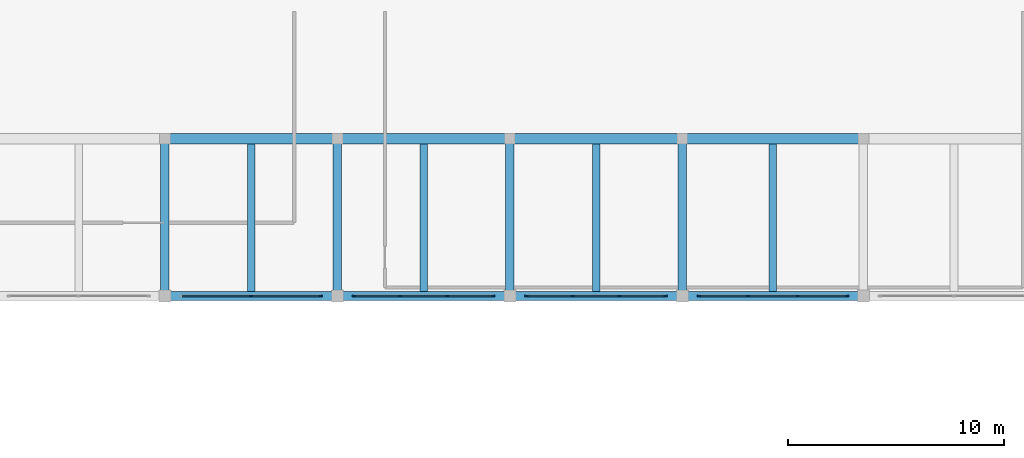
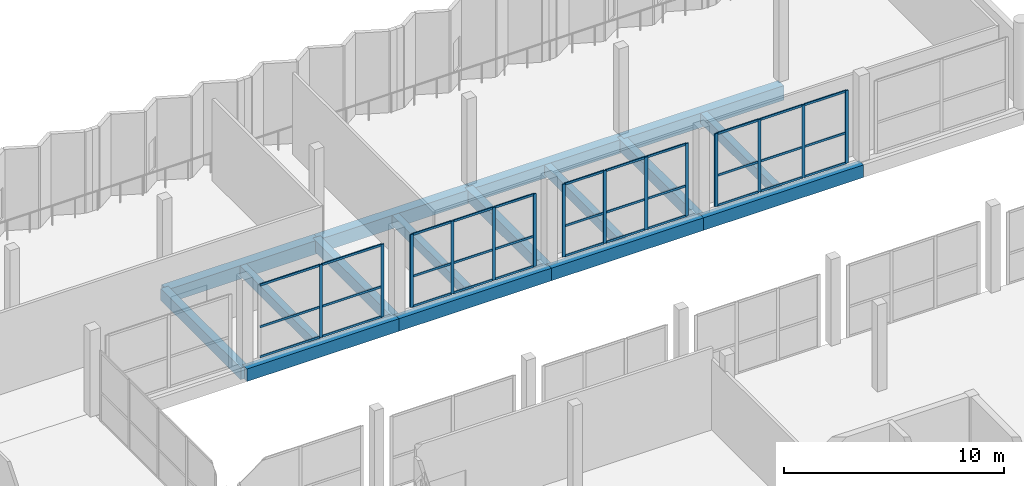
# One storey, part 18 of 47: 47 members, 16 beams, 4 elements without a shape of their own.
"""IFC4 building model written with IfcOpenShell, lengths in metres."""

from ifc_helpers import new_model, si_unit, direction, frame, origin, origin_2d, place, context, subcontext, project, spatial, rectangle, extrude, material, material_profile, profile_set, type_object, element, aggregate, save


model = new_model("IFC4")

# Units and contexts
model_context = context("Model", 3, precision=1e-05, world=origin(), true_north=direction((0.0, 1.0)))
body_context = subcontext(model_context, "Body", "Model", "MODEL_VIEW")
ifc_project = project(units=[si_unit("LENGTHUNIT", "METRE"), si_unit("AREAUNIT", "SQUARE_METRE"), si_unit("VOLUMEUNIT", "CUBIC_METRE"), si_unit("PLANEANGLEUNIT", "RADIAN"), si_unit("MASSUNIT", "GRAM", prefix="KILO")], contexts=[model_context])

# Site, building, storey
site_placement = place(None, origin())
site = spatial("IfcSite", under=ifc_project, at=site_placement, CompositionType="ELEMENT")
building_placement = place(site_placement, origin())
building = spatial("IfcBuilding", under=site, at=building_placement, Name="Vharandega Faculty of Natural Sciences", CompositionType="ELEMENT")
storey_placement = place(building_placement, frame((0.0, 0.0, 5.39990234375)))
storey = spatial("IfcBuildingStorey", under=building, at=storey_placement, Name="L01", CompositionType="ELEMENT", Elevation=5.39990234375)

# Curtain wall, members
ifc_material_1 = material(Name="Aluminium and solar-control glass curtain wall", Category="aluminium")
curtain_wall_type_1 = type_object("IfcCurtainWallType", Name="Unitised Curtain Wall System CW-19", PredefinedType="NOTDEFINED", material=ifc_material_1)
curtain_wall_1_placement = place(storey_placement, origin())
curtain_wall_1 = element("IfcCurtainWall", 1, at=curtain_wall_1_placement, inside=storey, type_object=curtain_wall_type_1, Name="Curtain Wall CW-L01-046", PredefinedType="NOTDEFINED")
ifc_material_2 = material(Name="Thermally broken aluminium 6063-T6", Category="aluminium")
ifc_material_profile_1 = material_profile(ifc_material_2, rectangle(XDim=0.06005859375, YDim=0.159912109375, at=origin_2d()), Name="ALU 60x160")
ifc_profile_set_1 = profile_set([ifc_material_profile_1], Name="Thermally broken aluminium 6063-T6")
member_type_1 = type_object("IfcMemberType", Name="CW Mullion 60x160", PredefinedType="MULLION", material=ifc_profile_set_1)
member_1_placement = place(storey_placement, frame((36.0, 97.0, 0.0), z_axis=(0.0, 0.0, 1.0), x_axis=(0.0, 1.0, 0.0)))
member_1 = element("IfcMember", 2, at=member_1_placement, type_object=member_type_1, Name="CW-19 mullion 2", PredefinedType="MULLION", context=body_context, shape_type="SweptSolid", body=[
    extrude(rectangle(XDim=0.06005859375, YDim=0.159912109375, at=origin_2d()), origin(), (0.0, 0.0, 1.0), 4.0400390625),
])
member_2_placement = place(storey_placement, frame((39.22998046875, 97.0, 0.0), z_axis=(0.0, 0.0, 1.0), x_axis=(0.0, 1.0, 0.0)))
member_2 = element("IfcMember", 3, at=member_2_placement, type_object=member_type_1, Name="CW-19 mullion 3", PredefinedType="MULLION", context=body_context, shape_type="SweptSolid", body=[
    extrude(rectangle(XDim=0.06005859375, YDim=0.159912109375, at=origin_2d()), origin(), (0.0, 0.0, 1.0), 4.0400390625),
])

ifc_material_3 = material(Name="Aluminium and solar-control glass curtain wall", Category="aluminium")
curtain_wall_type_2 = type_object("IfcCurtainWallType", Name="Unitised Curtain Wall System CW-20", PredefinedType="NOTDEFINED", material=ifc_material_3)
curtain_wall_2_placement = place(storey_placement, origin())
curtain_wall_2 = element("IfcCurtainWall", 4, at=curtain_wall_2_placement, inside=storey, type_object=curtain_wall_type_2, Name="Curtain Wall CW-L01-047", PredefinedType="NOTDEFINED")
member_3_placement = place(storey_placement, frame((40.77001953125, 97.0, 0.0), z_axis=(0.0, 0.0, 1.0), x_axis=(0.0, 1.0, 0.0)))
member_3 = element("IfcMember", 5, at=member_3_placement, type_object=member_type_1, Name="CW-20 mullion 1", PredefinedType="MULLION", context=body_context, shape_type="SweptSolid", body=[
    extrude(rectangle(XDim=0.06005859375, YDim=0.159912109375, at=origin_2d()), origin(), (0.0, 0.0, 1.0), 4.0400390625),
])
member_4_placement = place(storey_placement, frame((42.913330078125, 97.0, 0.0), z_axis=(0.0, 0.0, 1.0), x_axis=(0.0, 1.0, 0.0)))
member_4 = element("IfcMember", 6, at=member_4_placement, type_object=member_type_1, Name="CW-20 mullion 2", PredefinedType="MULLION", context=body_context, shape_type="SweptSolid", body=[
    extrude(rectangle(XDim=0.06005859375, YDim=0.159912109375, at=origin_2d()), origin(), (0.0, 0.0, 1.0), 4.0400390625),
])
member_5_placement = place(storey_placement, frame((45.086669921875, 97.0, 0.0), z_axis=(0.0, 0.0, 1.0), x_axis=(0.0, 1.0, 0.0)))
member_5 = element("IfcMember", 7, at=member_5_placement, type_object=member_type_1, Name="CW-20 mullion 3", PredefinedType="MULLION", context=body_context, shape_type="SweptSolid", body=[
    extrude(rectangle(XDim=0.06005859375, YDim=0.159912109375, at=origin_2d()), origin(), (0.0, 0.0, 1.0), 4.0400390625),
])
member_6_placement = place(storey_placement, frame((47.22998046875, 97.0, 0.0), z_axis=(0.0, 0.0, 1.0), x_axis=(0.0, 1.0, 0.0)))
member_6 = element("IfcMember", 8, at=member_6_placement, type_object=member_type_1, Name="CW-20 mullion 4", PredefinedType="MULLION", context=body_context, shape_type="SweptSolid", body=[
    extrude(rectangle(XDim=0.06005859375, YDim=0.159912109375, at=origin_2d()), origin(), (0.0, 0.0, 1.0), 4.0400390625),
])

ifc_material_4 = material(Name="Aluminium and solar-control glass curtain wall", Category="aluminium")
curtain_wall_type_3 = type_object("IfcCurtainWallType", Name="Unitised Curtain Wall System CW-21", PredefinedType="NOTDEFINED", material=ifc_material_4)
curtain_wall_3_placement = place(storey_placement, origin())
curtain_wall_3 = element("IfcCurtainWall", 9, at=curtain_wall_3_placement, inside=storey, type_object=curtain_wall_type_3, Name="Curtain Wall CW-L01-048", PredefinedType="NOTDEFINED")
member_7_placement = place(storey_placement, frame((48.77001953125, 97.0, 0.0), z_axis=(0.0, 0.0, 1.0), x_axis=(0.0, 1.0, 0.0)))
member_7 = element("IfcMember", 10, at=member_7_placement, type_object=member_type_1, Name="CW-21 mullion 1", PredefinedType="MULLION", context=body_context, shape_type="SweptSolid", body=[
    extrude(rectangle(XDim=0.06005859375, YDim=0.159912109375, at=origin_2d()), origin(), (0.0, 0.0, 1.0), 4.0400390625),
])
member_8_placement = place(storey_placement, frame((50.913330078125, 97.0, 0.0), z_axis=(0.0, 0.0, 1.0), x_axis=(0.0, 1.0, 0.0)))
member_8 = element("IfcMember", 11, at=member_8_placement, type_object=member_type_1, Name="CW-21 mullion 2", PredefinedType="MULLION", context=body_context, shape_type="SweptSolid", body=[
    extrude(rectangle(XDim=0.06005859375, YDim=0.159912109375, at=origin_2d()), origin(), (0.0, 0.0, 1.0), 4.0400390625),
])
member_9_placement = place(storey_placement, frame((53.086669921875, 97.0, 0.0), z_axis=(0.0, 0.0, 1.0), x_axis=(0.0, 1.0, 0.0)))
member_9 = element("IfcMember", 12, at=member_9_placement, type_object=member_type_1, Name="CW-21 mullion 3", PredefinedType="MULLION", context=body_context, shape_type="SweptSolid", body=[
    extrude(rectangle(XDim=0.06005859375, YDim=0.159912109375, at=origin_2d()), origin(), (0.0, 0.0, 1.0), 4.0400390625),
])
member_10_placement = place(storey_placement, frame((55.22998046875, 97.0, 0.0), z_axis=(0.0, 0.0, 1.0), x_axis=(0.0, 1.0, 0.0)))
member_10 = element("IfcMember", 13, at=member_10_placement, type_object=member_type_1, Name="CW-21 mullion 4", PredefinedType="MULLION", context=body_context, shape_type="SweptSolid", body=[
    extrude(rectangle(XDim=0.06005859375, YDim=0.159912109375, at=origin_2d()), origin(), (0.0, 0.0, 1.0), 4.0400390625),
])

ifc_material_5 = material(Name="Aluminium and solar-control glass curtain wall", Category="aluminium")
curtain_wall_type_4 = type_object("IfcCurtainWallType", Name="Unitised Curtain Wall System CW-22", PredefinedType="NOTDEFINED", material=ifc_material_5)
curtain_wall_4_placement = place(storey_placement, origin())
curtain_wall_4 = element("IfcCurtainWall", 14, at=curtain_wall_4_placement, inside=storey, type_object=curtain_wall_type_4, Name="Curtain Wall CW-L01-049", PredefinedType="NOTDEFINED")
member_11_placement = place(storey_placement, frame((56.77001953125, 97.0, 0.0), z_axis=(0.0, 0.0, 1.0), x_axis=(0.0, 1.0, 0.0)))
member_11 = element("IfcMember", 15, at=member_11_placement, type_object=member_type_1, Name="CW-22 mullion 1", PredefinedType="MULLION", context=body_context, shape_type="SweptSolid", body=[
    extrude(rectangle(XDim=0.06005859375, YDim=0.159912109375, at=origin_2d()), origin(), (0.0, 0.0, 1.0), 4.0400390625),
])
member_12_placement = place(storey_placement, frame((59.046630859375, 97.0, 0.0), z_axis=(0.0, 0.0, 1.0), x_axis=(0.0, 1.0, 0.0)))
member_12 = element("IfcMember", 16, at=member_12_placement, type_object=member_type_1, Name="CW-22 mullion 2", PredefinedType="MULLION", context=body_context, shape_type="SweptSolid", body=[
    extrude(rectangle(XDim=0.06005859375, YDim=0.159912109375, at=origin_2d()), origin(), (0.0, 0.0, 1.0), 4.0400390625),
])
member_13_placement = place(storey_placement, frame((61.353271484375, 97.0, 0.0), z_axis=(0.0, 0.0, 1.0), x_axis=(0.0, 1.0, 0.0)))
member_13 = element("IfcMember", 17, at=member_13_placement, type_object=member_type_1, Name="CW-22 mullion 3", PredefinedType="MULLION", context=body_context, shape_type="SweptSolid", body=[
    extrude(rectangle(XDim=0.06005859375, YDim=0.159912109375, at=origin_2d()), origin(), (0.0, 0.0, 1.0), 4.0400390625),
])
member_14_placement = place(storey_placement, frame((63.6298828125, 97.0, 0.0), z_axis=(0.0, 0.0, 1.0), x_axis=(0.0, 1.0, 0.0)))
member_14 = element("IfcMember", 18, at=member_14_placement, type_object=member_type_1, Name="CW-22 mullion 4", PredefinedType="MULLION", context=body_context, shape_type="SweptSolid", body=[
    extrude(rectangle(XDim=0.06005859375, YDim=0.159912109375, at=origin_2d()), origin(), (0.0, 0.0, 1.0), 4.0400390625),
])

# Member
ifc_material_6 = material(Name="Thermally broken aluminium 6063-T6", Category="aluminium")
ifc_material_profile_2 = material_profile(ifc_material_6, rectangle(XDim=0.06005859375, YDim=0.1201171875, at=origin_2d()), Name="ALU 60x120")
ifc_profile_set_2 = profile_set([ifc_material_profile_2], Name="Thermally broken aluminium 6063-T6")
member_type_2 = type_object("IfcMemberType", Name="CW Transom 60x120", PredefinedType="USERDEFINED", material=ifc_profile_set_2)
member_15_placement = place(storey_placement, frame((32.800048828125, 97.0, 0.030029296875), z_axis=(1.0, 0.0, 0.0), x_axis=(0.0, 1.0, 0.0)))
member_15 = element("IfcMember", 19, at=member_15_placement, type_object=member_type_2, Name="CW-19 transom 1.1", ObjectType="TRANSOM", PredefinedType="USERDEFINED", context=body_context, shape_type="SweptSolid", body=[
    extrude(rectangle(XDim=0.06005859375, YDim=0.1201171875, at=origin_2d()), origin(), (0.0, 0.0, 1.0), 3.169921875),
])

member_16_placement = place(storey_placement, frame((32.800048828125, 97.0, 1.69677734375), z_axis=(1.0, 0.0, 0.0), x_axis=(0.0, 1.0, 0.0)))
member_16 = element("IfcMember", 20, at=member_16_placement, type_object=member_type_2, Name="CW-19 transom 1.2", ObjectType="TRANSOM", PredefinedType="USERDEFINED", context=body_context, shape_type="SweptSolid", body=[
    extrude(rectangle(XDim=0.06005859375, YDim=0.1201171875, at=origin_2d()), origin(), (0.0, 0.0, 1.0), 3.169921875),
])

member_17_placement = place(storey_placement, frame((32.800048828125, 97.0, 4.010009765625), z_axis=(1.0, 0.0, 0.0), x_axis=(0.0, 1.0, 0.0)))
member_17 = element("IfcMember", 21, at=member_17_placement, type_object=member_type_2, Name="CW-19 transom 1.3", ObjectType="TRANSOM", PredefinedType="USERDEFINED", context=body_context, shape_type="SweptSolid", body=[
    extrude(rectangle(XDim=0.06005859375, YDim=0.1201171875, at=origin_2d()), origin(), (0.0, 0.0, 1.0), 3.169921875),
])

member_18_placement = place(storey_placement, frame((36.030029296875, 97.0, 0.030029296875), z_axis=(1.0, 0.0, 0.0), x_axis=(0.0, 1.0, 0.0)))
member_18 = element("IfcMember", 22, at=member_18_placement, type_object=member_type_2, Name="CW-19 transom 2.1", ObjectType="TRANSOM", PredefinedType="USERDEFINED", context=body_context, shape_type="SweptSolid", body=[
    extrude(rectangle(XDim=0.06005859375, YDim=0.1201171875, at=origin_2d()), origin(), (0.0, 0.0, 1.0), 3.169921875),
])

member_19_placement = place(storey_placement, frame((36.030029296875, 97.0, 1.69677734375), z_axis=(1.0, 0.0, 0.0), x_axis=(0.0, 1.0, 0.0)))
member_19 = element("IfcMember", 23, at=member_19_placement, type_object=member_type_2, Name="CW-19 transom 2.2", ObjectType="TRANSOM", PredefinedType="USERDEFINED", context=body_context, shape_type="SweptSolid", body=[
    extrude(rectangle(XDim=0.06005859375, YDim=0.1201171875, at=origin_2d()), origin(), (0.0, 0.0, 1.0), 3.169921875),
])

member_20_placement = place(storey_placement, frame((36.030029296875, 97.0, 4.010009765625), z_axis=(1.0, 0.0, 0.0), x_axis=(0.0, 1.0, 0.0)))
member_20 = element("IfcMember", 24, at=member_20_placement, type_object=member_type_2, Name="CW-19 transom 2.3", ObjectType="TRANSOM", PredefinedType="USERDEFINED", context=body_context, shape_type="SweptSolid", body=[
    extrude(rectangle(XDim=0.06005859375, YDim=0.1201171875, at=origin_2d()), origin(), (0.0, 0.0, 1.0), 3.169921875),
])

aggregate(curtain_wall_1, [member_1, member_2, member_15, member_16, member_17, member_18, member_19, member_20])

member_21_placement = place(storey_placement, frame((40.800048828125, 97.0, 0.030029296875), z_axis=(1.0, 0.0, 0.0), x_axis=(0.0, 1.0, 0.0)))
member_21 = element("IfcMember", 25, at=member_21_placement, type_object=member_type_2, Name="CW-20 transom 1.1", ObjectType="TRANSOM", PredefinedType="USERDEFINED", context=body_context, shape_type="SweptSolid", body=[
    extrude(rectangle(XDim=0.06005859375, YDim=0.1201171875, at=origin_2d()), origin(), (0.0, 0.0, 1.0), 2.083251953125),
])

member_22_placement = place(storey_placement, frame((40.800048828125, 97.0, 1.69677734375), z_axis=(1.0, 0.0, 0.0), x_axis=(0.0, 1.0, 0.0)))
member_22 = element("IfcMember", 26, at=member_22_placement, type_object=member_type_2, Name="CW-20 transom 1.2", ObjectType="TRANSOM", PredefinedType="USERDEFINED", context=body_context, shape_type="SweptSolid", body=[
    extrude(rectangle(XDim=0.06005859375, YDim=0.1201171875, at=origin_2d()), origin(), (0.0, 0.0, 1.0), 2.083251953125),
])

member_23_placement = place(storey_placement, frame((40.800048828125, 97.0, 4.010009765625), z_axis=(1.0, 0.0, 0.0), x_axis=(0.0, 1.0, 0.0)))
member_23 = element("IfcMember", 27, at=member_23_placement, type_object=member_type_2, Name="CW-20 transom 1.3", ObjectType="TRANSOM", PredefinedType="USERDEFINED", context=body_context, shape_type="SweptSolid", body=[
    extrude(rectangle(XDim=0.06005859375, YDim=0.1201171875, at=origin_2d()), origin(), (0.0, 0.0, 1.0), 2.083251953125),
])

member_24_placement = place(storey_placement, frame((42.943359375, 97.0, 0.030029296875), z_axis=(1.0, 0.0, 0.0), x_axis=(0.0, 1.0, 0.0)))
member_24 = element("IfcMember", 28, at=member_24_placement, type_object=member_type_2, Name="CW-20 transom 2.1", ObjectType="TRANSOM", PredefinedType="USERDEFINED", context=body_context, shape_type="SweptSolid", body=[
    extrude(rectangle(XDim=0.06005859375, YDim=0.1201171875, at=origin_2d()), origin(), (0.0, 0.0, 1.0), 2.11328125),
])

member_25_placement = place(storey_placement, frame((42.943359375, 97.0, 1.69677734375), z_axis=(1.0, 0.0, 0.0), x_axis=(0.0, 1.0, 0.0)))
member_25 = element("IfcMember", 29, at=member_25_placement, type_object=member_type_2, Name="CW-20 transom 2.2", ObjectType="TRANSOM", PredefinedType="USERDEFINED", context=body_context, shape_type="SweptSolid", body=[
    extrude(rectangle(XDim=0.06005859375, YDim=0.1201171875, at=origin_2d()), origin(), (0.0, 0.0, 1.0), 2.11328125),
])

member_26_placement = place(storey_placement, frame((42.943359375, 97.0, 4.010009765625), z_axis=(1.0, 0.0, 0.0), x_axis=(0.0, 1.0, 0.0)))
member_26 = element("IfcMember", 30, at=member_26_placement, type_object=member_type_2, Name="CW-20 transom 2.3", ObjectType="TRANSOM", PredefinedType="USERDEFINED", context=body_context, shape_type="SweptSolid", body=[
    extrude(rectangle(XDim=0.06005859375, YDim=0.1201171875, at=origin_2d()), origin(), (0.0, 0.0, 1.0), 2.11328125),
])

member_27_placement = place(storey_placement, frame((45.11669921875, 97.0, 0.030029296875), z_axis=(1.0, 0.0, 0.0), x_axis=(0.0, 1.0, 0.0)))
member_27 = element("IfcMember", 31, at=member_27_placement, type_object=member_type_2, Name="CW-20 transom 3.1", ObjectType="TRANSOM", PredefinedType="USERDEFINED", context=body_context, shape_type="SweptSolid", body=[
    extrude(rectangle(XDim=0.06005859375, YDim=0.1201171875, at=origin_2d()), origin(), (0.0, 0.0, 1.0), 2.083251953125),
])

member_28_placement = place(storey_placement, frame((45.11669921875, 97.0, 1.69677734375), z_axis=(1.0, 0.0, 0.0), x_axis=(0.0, 1.0, 0.0)))
member_28 = element("IfcMember", 32, at=member_28_placement, type_object=member_type_2, Name="CW-20 transom 3.2", ObjectType="TRANSOM", PredefinedType="USERDEFINED", context=body_context, shape_type="SweptSolid", body=[
    extrude(rectangle(XDim=0.06005859375, YDim=0.1201171875, at=origin_2d()), origin(), (0.0, 0.0, 1.0), 2.083251953125),
])

member_29_placement = place(storey_placement, frame((45.11669921875, 97.0, 4.010009765625), z_axis=(1.0, 0.0, 0.0), x_axis=(0.0, 1.0, 0.0)))
member_29 = element("IfcMember", 33, at=member_29_placement, type_object=member_type_2, Name="CW-20 transom 3.3", ObjectType="TRANSOM", PredefinedType="USERDEFINED", context=body_context, shape_type="SweptSolid", body=[
    extrude(rectangle(XDim=0.06005859375, YDim=0.1201171875, at=origin_2d()), origin(), (0.0, 0.0, 1.0), 2.083251953125),
])

aggregate(curtain_wall_2, [member_3, member_4, member_5, member_6, member_21, member_22, member_23, member_24, member_25, member_26, member_27, member_28, member_29])

member_30_placement = place(storey_placement, frame((48.800048828125, 97.0, 0.030029296875), z_axis=(1.0, 0.0, 0.0), x_axis=(0.0, 1.0, 0.0)))
member_30 = element("IfcMember", 34, at=member_30_placement, type_object=member_type_2, Name="CW-21 transom 1.1", ObjectType="TRANSOM", PredefinedType="USERDEFINED", context=body_context, shape_type="SweptSolid", body=[
    extrude(rectangle(XDim=0.06005859375, YDim=0.1201171875, at=origin_2d()), origin(), (0.0, 0.0, 1.0), 2.083251953125),
])

member_31_placement = place(storey_placement, frame((48.800048828125, 97.0, 1.69677734375), z_axis=(1.0, 0.0, 0.0), x_axis=(0.0, 1.0, 0.0)))
member_31 = element("IfcMember", 35, at=member_31_placement, type_object=member_type_2, Name="CW-21 transom 1.2", ObjectType="TRANSOM", PredefinedType="USERDEFINED", context=body_context, shape_type="SweptSolid", body=[
    extrude(rectangle(XDim=0.06005859375, YDim=0.1201171875, at=origin_2d()), origin(), (0.0, 0.0, 1.0), 2.083251953125),
])

member_32_placement = place(storey_placement, frame((48.800048828125, 97.0, 4.010009765625), z_axis=(1.0, 0.0, 0.0), x_axis=(0.0, 1.0, 0.0)))
member_32 = element("IfcMember", 36, at=member_32_placement, type_object=member_type_2, Name="CW-21 transom 1.3", ObjectType="TRANSOM", PredefinedType="USERDEFINED", context=body_context, shape_type="SweptSolid", body=[
    extrude(rectangle(XDim=0.06005859375, YDim=0.1201171875, at=origin_2d()), origin(), (0.0, 0.0, 1.0), 2.083251953125),
])

member_33_placement = place(storey_placement, frame((50.943359375, 97.0, 0.030029296875), z_axis=(1.0, 0.0, 0.0), x_axis=(0.0, 1.0, 0.0)))
member_33 = element("IfcMember", 37, at=member_33_placement, type_object=member_type_2, Name="CW-21 transom 2.1", ObjectType="TRANSOM", PredefinedType="USERDEFINED", context=body_context, shape_type="SweptSolid", body=[
    extrude(rectangle(XDim=0.06005859375, YDim=0.1201171875, at=origin_2d()), origin(), (0.0, 0.0, 1.0), 2.11328125),
])

member_34_placement = place(storey_placement, frame((50.943359375, 97.0, 1.69677734375), z_axis=(1.0, 0.0, 0.0), x_axis=(0.0, 1.0, 0.0)))
member_34 = element("IfcMember", 38, at=member_34_placement, type_object=member_type_2, Name="CW-21 transom 2.2", ObjectType="TRANSOM", PredefinedType="USERDEFINED", context=body_context, shape_type="SweptSolid", body=[
    extrude(rectangle(XDim=0.06005859375, YDim=0.1201171875, at=origin_2d()), origin(), (0.0, 0.0, 1.0), 2.11328125),
])

member_35_placement = place(storey_placement, frame((50.943359375, 97.0, 4.010009765625), z_axis=(1.0, 0.0, 0.0), x_axis=(0.0, 1.0, 0.0)))
member_35 = element("IfcMember", 39, at=member_35_placement, type_object=member_type_2, Name="CW-21 transom 2.3", ObjectType="TRANSOM", PredefinedType="USERDEFINED", context=body_context, shape_type="SweptSolid", body=[
    extrude(rectangle(XDim=0.06005859375, YDim=0.1201171875, at=origin_2d()), origin(), (0.0, 0.0, 1.0), 2.11328125),
])

member_36_placement = place(storey_placement, frame((53.11669921875, 97.0, 0.030029296875), z_axis=(1.0, 0.0, 0.0), x_axis=(0.0, 1.0, 0.0)))
member_36 = element("IfcMember", 40, at=member_36_placement, type_object=member_type_2, Name="CW-21 transom 3.1", ObjectType="TRANSOM", PredefinedType="USERDEFINED", context=body_context, shape_type="SweptSolid", body=[
    extrude(rectangle(XDim=0.06005859375, YDim=0.1201171875, at=origin_2d()), origin(), (0.0, 0.0, 1.0), 2.083251953125),
])

member_37_placement = place(storey_placement, frame((53.11669921875, 97.0, 1.69677734375), z_axis=(1.0, 0.0, 0.0), x_axis=(0.0, 1.0, 0.0)))
member_37 = element("IfcMember", 41, at=member_37_placement, type_object=member_type_2, Name="CW-21 transom 3.2", ObjectType="TRANSOM", PredefinedType="USERDEFINED", context=body_context, shape_type="SweptSolid", body=[
    extrude(rectangle(XDim=0.06005859375, YDim=0.1201171875, at=origin_2d()), origin(), (0.0, 0.0, 1.0), 2.083251953125),
])

member_38_placement = place(storey_placement, frame((53.11669921875, 97.0, 4.010009765625), z_axis=(1.0, 0.0, 0.0), x_axis=(0.0, 1.0, 0.0)))
member_38 = element("IfcMember", 42, at=member_38_placement, type_object=member_type_2, Name="CW-21 transom 3.3", ObjectType="TRANSOM", PredefinedType="USERDEFINED", context=body_context, shape_type="SweptSolid", body=[
    extrude(rectangle(XDim=0.06005859375, YDim=0.1201171875, at=origin_2d()), origin(), (0.0, 0.0, 1.0), 2.083251953125),
])

aggregate(curtain_wall_3, [member_7, member_8, member_9, member_10, member_30, member_31, member_32, member_33, member_34, member_35, member_36, member_37, member_38])

member_39_placement = place(storey_placement, frame((56.800048828125, 97.0, 0.030029296875), z_axis=(1.0, 0.0, 0.0), x_axis=(0.0, 1.0, 0.0)))
member_39 = element("IfcMember", 43, at=member_39_placement, type_object=member_type_2, Name="CW-22 transom 1.1", ObjectType="TRANSOM", PredefinedType="USERDEFINED", context=body_context, shape_type="SweptSolid", body=[
    extrude(rectangle(XDim=0.06005859375, YDim=0.1201171875, at=origin_2d()), origin(), (0.0, 0.0, 1.0), 2.216552734375),
])

member_40_placement = place(storey_placement, frame((56.800048828125, 97.0, 1.69677734375), z_axis=(1.0, 0.0, 0.0), x_axis=(0.0, 1.0, 0.0)))
member_40 = element("IfcMember", 44, at=member_40_placement, type_object=member_type_2, Name="CW-22 transom 1.2", ObjectType="TRANSOM", PredefinedType="USERDEFINED", context=body_context, shape_type="SweptSolid", body=[
    extrude(rectangle(XDim=0.06005859375, YDim=0.1201171875, at=origin_2d()), origin(), (0.0, 0.0, 1.0), 2.216552734375),
])

member_41_placement = place(storey_placement, frame((56.800048828125, 97.0, 4.010009765625), z_axis=(1.0, 0.0, 0.0), x_axis=(0.0, 1.0, 0.0)))
member_41 = element("IfcMember", 45, at=member_41_placement, type_object=member_type_2, Name="CW-22 transom 1.3", ObjectType="TRANSOM", PredefinedType="USERDEFINED", context=body_context, shape_type="SweptSolid", body=[
    extrude(rectangle(XDim=0.06005859375, YDim=0.1201171875, at=origin_2d()), origin(), (0.0, 0.0, 1.0), 2.216552734375),
])

member_42_placement = place(storey_placement, frame((59.07666015625, 97.0, 0.030029296875), z_axis=(1.0, 0.0, 0.0), x_axis=(0.0, 1.0, 0.0)))
member_42 = element("IfcMember", 46, at=member_42_placement, type_object=member_type_2, Name="CW-22 transom 2.1", ObjectType="TRANSOM", PredefinedType="USERDEFINED", context=body_context, shape_type="SweptSolid", body=[
    extrude(rectangle(XDim=0.06005859375, YDim=0.1201171875, at=origin_2d()), origin(), (0.0, 0.0, 1.0), 2.24658203125),
])

member_43_placement = place(storey_placement, frame((59.07666015625, 97.0, 1.69677734375), z_axis=(1.0, 0.0, 0.0), x_axis=(0.0, 1.0, 0.0)))
member_43 = element("IfcMember", 47, at=member_43_placement, type_object=member_type_2, Name="CW-22 transom 2.2", ObjectType="TRANSOM", PredefinedType="USERDEFINED", context=body_context, shape_type="SweptSolid", body=[
    extrude(rectangle(XDim=0.06005859375, YDim=0.1201171875, at=origin_2d()), origin(), (0.0, 0.0, 1.0), 2.24658203125),
])

member_44_placement = place(storey_placement, frame((59.07666015625, 97.0, 4.010009765625), z_axis=(1.0, 0.0, 0.0), x_axis=(0.0, 1.0, 0.0)))
member_44 = element("IfcMember", 48, at=member_44_placement, type_object=member_type_2, Name="CW-22 transom 2.3", ObjectType="TRANSOM", PredefinedType="USERDEFINED", context=body_context, shape_type="SweptSolid", body=[
    extrude(rectangle(XDim=0.06005859375, YDim=0.1201171875, at=origin_2d()), origin(), (0.0, 0.0, 1.0), 2.24658203125),
])

member_45_placement = place(storey_placement, frame((61.38330078125, 97.0, 0.030029296875), z_axis=(1.0, 0.0, 0.0), x_axis=(0.0, 1.0, 0.0)))
member_45 = element("IfcMember", 49, at=member_45_placement, type_object=member_type_2, Name="CW-22 transom 3.1", ObjectType="TRANSOM", PredefinedType="USERDEFINED", context=body_context, shape_type="SweptSolid", body=[
    extrude(rectangle(XDim=0.06005859375, YDim=0.1201171875, at=origin_2d()), origin(), (0.0, 0.0, 1.0), 2.216796875),
])

member_46_placement = place(storey_placement, frame((61.38330078125, 97.0, 1.69677734375), z_axis=(1.0, 0.0, 0.0), x_axis=(0.0, 1.0, 0.0)))
member_46 = element("IfcMember", 50, at=member_46_placement, type_object=member_type_2, Name="CW-22 transom 3.2", ObjectType="TRANSOM", PredefinedType="USERDEFINED", context=body_context, shape_type="SweptSolid", body=[
    extrude(rectangle(XDim=0.06005859375, YDim=0.1201171875, at=origin_2d()), origin(), (0.0, 0.0, 1.0), 2.216796875),
])

member_47_placement = place(storey_placement, frame((61.38330078125, 97.0, 4.010009765625), z_axis=(1.0, 0.0, 0.0), x_axis=(0.0, 1.0, 0.0)))
member_47 = element("IfcMember", 51, at=member_47_placement, type_object=member_type_2, Name="CW-22 transom 3.3", ObjectType="TRANSOM", PredefinedType="USERDEFINED", context=body_context, shape_type="SweptSolid", body=[
    extrude(rectangle(XDim=0.06005859375, YDim=0.1201171875, at=origin_2d()), origin(), (0.0, 0.0, 1.0), 2.216796875),
])

aggregate(curtain_wall_4, [member_11, member_12, member_13, member_14, member_39, member_40, member_41, member_42, member_43, member_44, member_45, member_46, member_47])

# Beams
ifc_material_7 = material(Name="Concrete C40/50", Category="concrete")
ifc_material_profile_3 = material_profile(ifc_material_7, rectangle(XDim=0.39990234375, YDim=0.64990234375, at=origin_2d()), Name="RC 400x650")
ifc_profile_set_3 = profile_set([ifc_material_profile_3], Name="Concrete C40/50")
beam_type_1 = type_object("IfcBeamType", Name="Podium Floor Beam 400x650", PredefinedType="BEAM", material=ifc_profile_set_3)
for number, where, z_axis, x_axis, name in (
    (52, (32.0, 97.0, -0.5849609375), (0.0, 1.0, 0.0), (-1.0, 0.0, 0.0), "Beam L01 5/N-P"),
    (53, (40.0, 97.0, -0.5849609375), (0.0, 1.0, 0.0), (-1.0, 0.0, 0.0), "Beam L01 6/N-P"),
    (54, (48.0, 97.0, -0.5849609375), (0.0, 1.0, 0.0), (-1.0, 0.0, 0.0), "Beam L01 7/N-P"),
    (55, (56.0, 97.0, -0.5849609375), (0.0, 1.0, 0.0), (-1.0, 0.0, 0.0), "Beam L01 8/N-P"),
):
    element("IfcBeam", number, at=place(storey_placement, frame(where, z_axis=z_axis, x_axis=x_axis)), inside=storey, type_object=beam_type_1, Name=name, PredefinedType="BEAM", context=body_context, shape_type="SweptSolid", body=[
        extrude(rectangle(XDim=0.39990234375, YDim=0.64990234375, at=origin_2d()), origin(), (0.0, 0.0, 1.0), 7.300048828125),
    ])
ifc_material_8 = material(Name="Concrete C40/50", Category="concrete")
ifc_material_profile_4 = material_profile(ifc_material_8, rectangle(XDim=0.5, YDim=0.800048828125, at=origin_2d()), Name="RC 500x800")
ifc_profile_set_4 = profile_set([ifc_material_profile_4], Name="Concrete C40/50")
beam_type_2 = type_object("IfcBeamType", Name="Podium Heavy Girder 500x800", PredefinedType="BEAM", material=ifc_profile_set_4)
beam_1_placement = place(storey_placement, frame((56.0, 104.300048828125, -0.659912109375), z_axis=(1.0, 0.0, 0.0), x_axis=(0.0, 1.0, 0.0)))
element("IfcBeam", 56, at=beam_1_placement, inside=storey, type_object=beam_type_2, Name="Beam L01 P/8-9", PredefinedType="BEAM", context=body_context, shape_type="SweptSolid", body=[
    extrude(rectangle(XDim=0.5, YDim=0.800048828125, at=origin_2d()), origin(), (0.0, 0.0, 1.0), 8.39990234375),
])
ifc_material_9 = material(Name="Concrete C40/50", Category="concrete")
ifc_material_profile_5 = material_profile(ifc_material_9, rectangle(XDim=0.5, YDim=0.75, at=origin_2d()), Name="RC 500x750")
ifc_profile_set_5 = profile_set([ifc_material_profile_5], Name="Concrete C40/50")
beam_type_3 = type_object("IfcBeamType", Name="Podium Primary Beam 500x750", PredefinedType="BEAM", material=ifc_profile_set_5)
for number, where, z_axis, x_axis, name in (
    (57, (32.0, 104.300048828125, -0.635009765625), (1.0, 0.0, 0.0), (0.0, 1.0, 0.0), "Beam L01 P/5-6"),
    (58, (40.0, 104.300048828125, -0.635009765625), (1.0, 0.0, 0.0), (0.0, 1.0, 0.0), "Beam L01 P/6-7"),
    (59, (48.0, 104.300048828125, -0.635009765625), (1.0, 0.0, 0.0), (0.0, 1.0, 0.0), "Beam L01 P/7-8"),
):
    element("IfcBeam", number, at=place(storey_placement, frame(where, z_axis=z_axis, x_axis=x_axis)), inside=storey, type_object=beam_type_3, Name=name, PredefinedType="BEAM", context=body_context, shape_type="SweptSolid", body=[
        extrude(rectangle(XDim=0.5, YDim=0.75, at=origin_2d()), origin(), (0.0, 0.0, 1.0), 8.0),
    ])
ifc_material_10 = material(Name="Concrete C40/50", Category="concrete")
ifc_material_profile_6 = material_profile(ifc_material_10, rectangle(XDim=0.35009765625, YDim=0.550048828125, at=origin_2d()), Name="RC 350x550")
ifc_profile_set_6 = profile_set([ifc_material_profile_6], Name="Concrete C40/50")
beam_type_4 = type_object("IfcBeamType", Name="Podium Secondary Beam 350x550", PredefinedType="JOIST", material=ifc_profile_set_6)
for number, where, z_axis, x_axis, name in (
    (60, (36.0, 97.199951171875, -0.534912109375), (0.0, 1.0, 0.0), (-1.0, 0.0, 0.0), "Secondary Joist L01 5-6/N-P"),
    (61, (44.0, 97.199951171875, -0.534912109375), (0.0, 1.0, 0.0), (-1.0, 0.0, 0.0), "Secondary Joist L01 6-7/N-P"),
    (62, (52.0, 97.199951171875, -0.534912109375), (0.0, 1.0, 0.0), (-1.0, 0.0, 0.0), "Secondary Joist L01 7-8/N-P"),
    (63, (60.199951171875, 97.199951171875, -0.534912109375), (0.0, 1.0, 0.0), (-1.0, 0.0, 0.0), "Secondary Joist L01 8-9/N-P"),
):
    element("IfcBeam", number, at=place(storey_placement, frame(where, z_axis=z_axis, x_axis=x_axis)), inside=storey, type_object=beam_type_4, Name=name, PredefinedType="JOIST", context=body_context, shape_type="SweptSolid", body=[
        extrude(rectangle(XDim=0.35009765625, YDim=0.550048828125, at=origin_2d()), origin(), (0.0, 0.0, 1.0), 6.85009765625),
    ])
ifc_material_11 = material(Name="Concrete C40/50", Category="concrete")
ifc_material_profile_7 = material_profile(ifc_material_11, rectangle(XDim=0.39990234375, YDim=0.699951171875, at=origin_2d()), Name="RC 400x700")
ifc_profile_set_7 = profile_set([ifc_material_profile_7], Name="Concrete C40/50")
beam_type_5 = type_object("IfcBeamType", Name="Podium Spandrel Beam 400x700", PredefinedType="SPANDREL", material=ifc_profile_set_7)
for number, where, z_axis, x_axis, name in (
    (64, (32.0, 97.0, -0.60986328125), (1.0, 0.0, 0.0), (0.0, 1.0, 0.0), "Beam L01 N/5-6"),
    (65, (40.0, 97.0, -0.60986328125), (1.0, 0.0, 0.0), (0.0, 1.0, 0.0), "Beam L01 N/6-7"),
    (66, (48.0, 97.0, -0.60986328125), (1.0, 0.0, 0.0), (0.0, 1.0, 0.0), "Beam L01 N/7-8"),
):
    element("IfcBeam", number, at=place(storey_placement, frame(where, z_axis=z_axis, x_axis=x_axis)), inside=storey, type_object=beam_type_5, Name=name, PredefinedType="SPANDREL", context=body_context, shape_type="SweptSolid", body=[
        extrude(rectangle(XDim=0.39990234375, YDim=0.699951171875, at=origin_2d()), origin(), (0.0, 0.0, 1.0), 8.0),
    ])
beam_2_placement = place(storey_placement, frame((56.0, 97.0, -0.60986328125), z_axis=(1.0, 0.0, 0.0), x_axis=(0.0, 1.0, 0.0)))
element("IfcBeam", 67, at=beam_2_placement, inside=storey, type_object=beam_type_5, Name="Beam L01 N/8-9", PredefinedType="SPANDREL", context=body_context, shape_type="SweptSolid", body=[
    extrude(rectangle(XDim=0.39990234375, YDim=0.699951171875, at=origin_2d()), origin(), (0.0, 0.0, 1.0), 8.39990234375),
])

save(model, "model.ifc")
